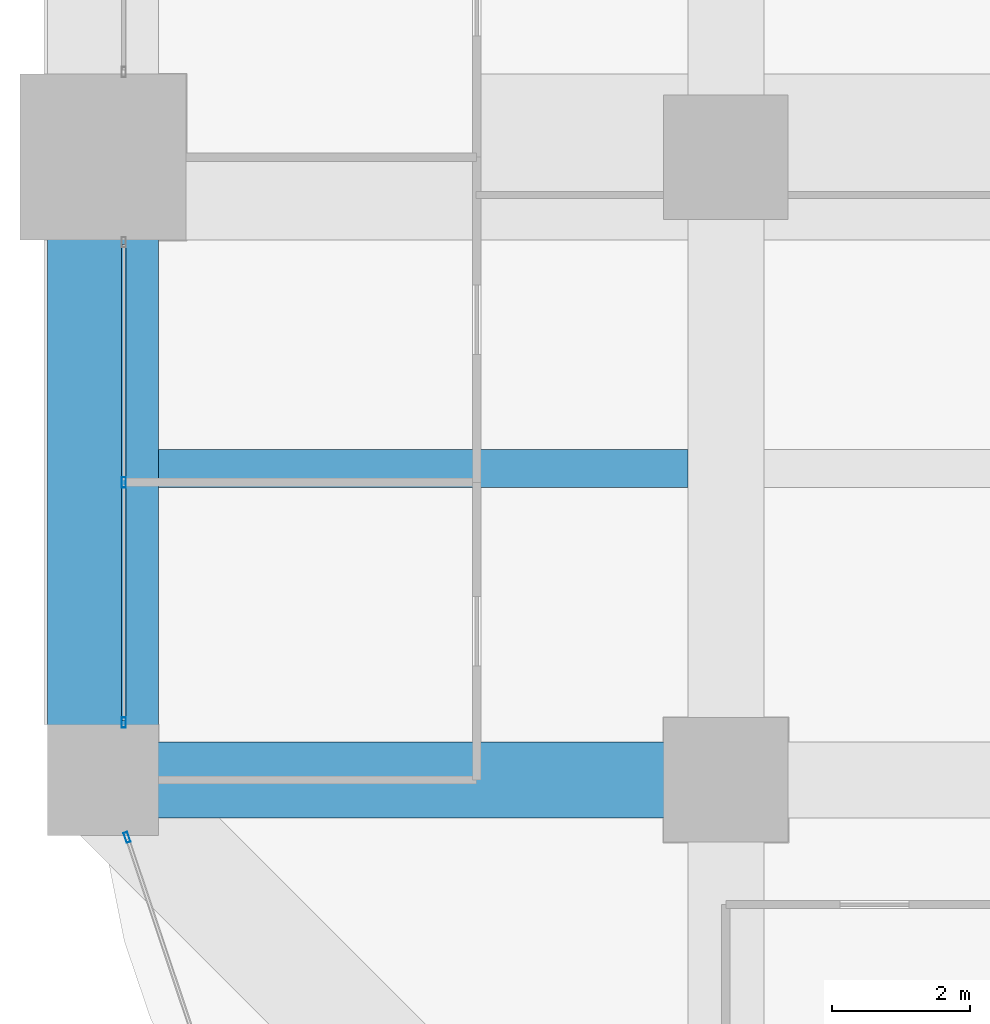
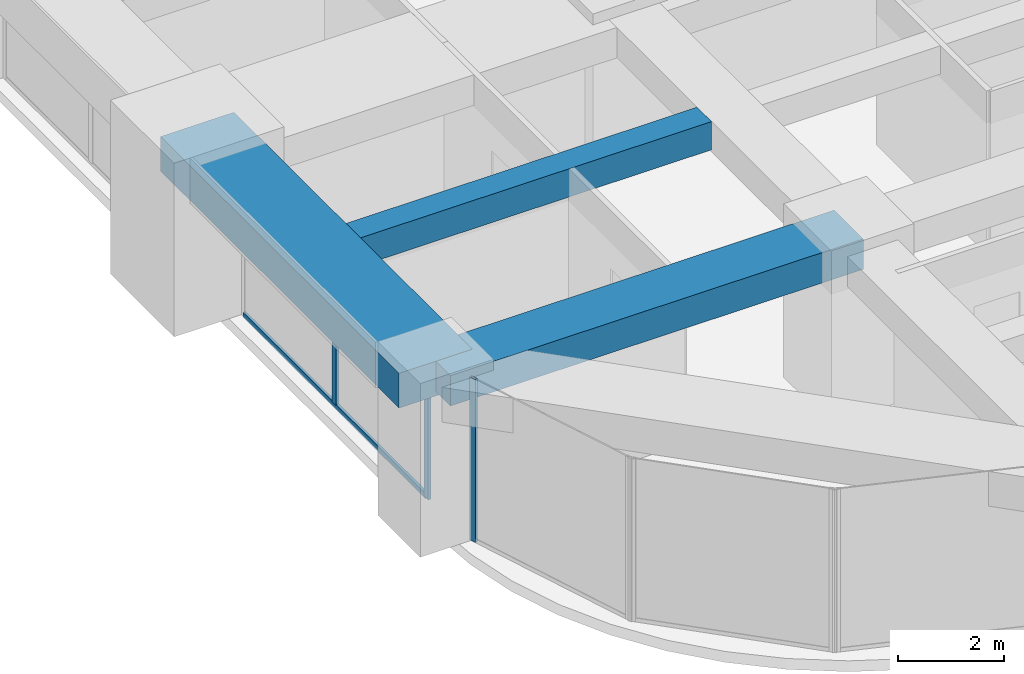
# One storey, part 4 of 43: 4 members, 3 beams, 2 elements without a shape of their own.
"""IFC4 building model written with IfcOpenShell, lengths in metres."""

from ifc_helpers import new_model, si_unit, direction, frame, origin, origin_2d, place, context, subcontext, project, spatial, rectangle, hollow_rectangle, extrude, material, material_profile, profile_set, type_object, element, aggregate, save


model = new_model("IFC4")

# Units and contexts
model_context = context("Model", 3, precision=1e-05, world=origin(), true_north=direction((0.0, 1.0)))
body_context = subcontext(model_context, "Body", "Model", "MODEL_VIEW")
ifc_project = project(units=[si_unit("LENGTHUNIT", "METRE"), si_unit("AREAUNIT", "SQUARE_METRE"), si_unit("VOLUMEUNIT", "CUBIC_METRE"), si_unit("PLANEANGLEUNIT", "RADIAN"), si_unit("MASSUNIT", "GRAM", prefix="KILO")], contexts=[model_context])

# Site, building, storey
site_placement = place(None, origin())
site = spatial("IfcSite", under=ifc_project, at=site_placement, CompositionType="ELEMENT")
building_placement = place(site_placement, origin())
building = spatial("IfcBuilding", under=site, at=building_placement, Name="Zorevar Civic Tower", CompositionType="ELEMENT")
storey_placement = place(building_placement, frame((0.0, 0.0, 145.0)))
storey = spatial("IfcBuildingStorey", under=building, at=storey_placement, Name="L35", CompositionType="ELEMENT", Elevation=145.0)

# Beams
ifc_material_1 = material(Name="Concrete C50/60", Category="concrete")
ifc_material_profile_1 = material_profile(ifc_material_1, rectangle(XDim=1.10009765625, YDim=0.699951171875, at=origin_2d()), Name="RC 1100x700")
ifc_profile_set_1 = profile_set([ifc_material_profile_1], Name="Concrete C50/60")
beam_type_1 = type_object("IfcBeamType", Name="Beam RC 1100x700", PredefinedType="BEAM", material=ifc_profile_set_1)
beam_1_placement = place(storey_placement, frame((0.0, 9.0, 3.39990234375), z_axis=(1.0, 0.0, 0.0), x_axis=(0.0, 1.0, 0.0)))
element("IfcBeam", 1, at=beam_1_placement, inside=storey, type_object=beam_type_1, Name="Girder L36", PredefinedType="BEAM", context=body_context, shape_type="SweptSolid", body=[
    extrude(rectangle(XDim=1.10009765625, YDim=0.699951171875, at=origin_2d()), origin(), (0.0, 0.0, 1.0), 9.0),
])
ifc_material_2 = material(Name="Concrete C50/60", Category="concrete")
ifc_material_profile_2 = material_profile(ifc_material_2, rectangle(XDim=0.550048828125, YDim=0.64990234375, at=origin_2d()), Name="RC 550x650")
ifc_profile_set_2 = profile_set([ifc_material_profile_2], Name="Concrete C50/60")
beam_type_2 = type_object("IfcBeamType", Name="Beam RC 550x650", PredefinedType="BEAM", material=ifc_profile_set_2)
beam_2_placement = place(storey_placement, frame((0.800048828125, 13.5, 3.425048828125), z_axis=(1.0, 0.0, 0.0), x_axis=(0.0, 1.0, 0.0)))
element("IfcBeam", 2, at=beam_2_placement, inside=storey, type_object=beam_type_2, Name="Secondary beam L36", PredefinedType="BEAM", context=body_context, shape_type="SweptSolid", body=[
    extrude(rectangle(XDim=0.550048828125, YDim=0.64990234375, at=origin_2d()), origin(), (0.0, 0.0, 1.0), 7.64990234375),
])

# Curtain wall, members
ifc_material_3 = material(Name="Dark grey solar-control glass in black aluminium frame", Category="aluminium")
curtain_wall_type = type_object("IfcCurtainWallType", Name="Curtain wall CW3 mid zone", PredefinedType="NOTDEFINED", material=ifc_material_3)
curtain_wall_1_placement = place(storey_placement, origin())
curtain_wall_1 = element("IfcCurtainWall", 3, at=curtain_wall_1_placement, inside=storey, type_object=curtain_wall_type, Name="CW3 L35", PredefinedType="NOTDEFINED")
ifc_material_4 = material(Name="Aluminium, black anodised", Category="aluminium")
ifc_material_profile_3 = material_profile(ifc_material_4, hollow_rectangle(XDim=0.06005859375, YDim=0.14990234375, WallThickness=0.00390625, at=origin_2d()), Name="AL 150x60x4")
ifc_profile_set_3 = profile_set([ifc_material_profile_3], Name="Aluminium, black anodised")
member_type_1 = type_object("IfcMemberType", Name="CW3 mullion AL 150x60x4", PredefinedType="MULLION", material=ifc_profile_set_3)
member_1_placement = place(storey_placement, frame((0.300048828125, 9.830078125, 0.0), z_axis=(0.0, 0.0, 1.0), x_axis=(-1.0, 0.0, 0.0)))
member_1 = element("IfcMember", 4, at=member_1_placement, type_object=member_type_1, Name="CW3 mullion 1", PredefinedType="MULLION", context=body_context, shape_type="SweptSolid", body=[
    extrude(hollow_rectangle(XDim=0.06005859375, YDim=0.14990234375, WallThickness=0.00390625, at=origin_2d()), origin(), (0.0, 0.0, 1.0), 2.949951171875),
])
member_2_placement = place(storey_placement, frame((0.300048828125, 13.300048828125, 0.06005859375), z_axis=(0.0, 0.0, 1.0), x_axis=(-1.0, 0.0, 0.0)))
member_2 = element("IfcMember", 5, at=member_2_placement, type_object=member_type_1, Name="CW3 mullion 2", PredefinedType="MULLION", context=body_context, shape_type="SweptSolid", body=[
    extrude(hollow_rectangle(XDim=0.06005859375, YDim=0.14990234375, WallThickness=0.00390625, at=origin_2d()), origin(), (0.0, 0.0, 1.0), 2.889892578125),
])

# Curtain wall, member
curtain_wall_2_placement = place(storey_placement, origin())
curtain_wall_2 = element("IfcCurtainWall", 6, at=curtain_wall_2_placement, inside=storey, type_object=curtain_wall_type, Name="CW3 L35", PredefinedType="NOTDEFINED")
member_3_placement = place(storey_placement, frame((0.346435546875, 8.171630859375, 0.0), z_axis=(0.0, 0.0, 1.0), x_axis=(0.948227238701, 0.317592669603, 0.0)))
member_3 = element("IfcMember", 7, at=member_3_placement, type_object=member_type_1, Name="CW3 mullion 1", PredefinedType="MULLION", context=body_context, shape_type="SweptSolid", body=[
    extrude(hollow_rectangle(XDim=0.06005859375, YDim=0.14990234375, WallThickness=0.00390625, at=origin_2d()), origin(), (0.0, 0.0, 1.0), 3.75),
])
aggregate(curtain_wall_2, [member_3])

# Member
ifc_material_5 = material(Name="Aluminium, black anodised", Category="aluminium")
ifc_material_profile_4 = material_profile(ifc_material_5, hollow_rectangle(XDim=0.06005859375, YDim=0.1201171875, WallThickness=0.0029296875, at=origin_2d()), Name="AL 120x60x3")
ifc_profile_set_4 = profile_set([ifc_material_profile_4], Name="Aluminium, black anodised")
member_type_2 = type_object("IfcMemberType", Name="CW3 transom AL 120x60x3", PredefinedType="USERDEFINED", material=ifc_profile_set_4)
member_4_placement = place(storey_placement, frame((0.300048828125, 9.860107421875, 0.030029296875), z_axis=(0.0, 1.0, 0.0), x_axis=(-1.0, 0.0, 0.0)))
member_4 = element("IfcMember", 8, at=member_4_placement, type_object=member_type_2, Name="CW3 sill transom", ObjectType="TRANSOM", PredefinedType="USERDEFINED", context=body_context, shape_type="SweptSolid", body=[
    extrude(hollow_rectangle(XDim=0.06005859375, YDim=0.1201171875, WallThickness=0.0029296875, at=origin_2d()), origin(), (0.0, 0.0, 1.0), 6.8798828125),
])

aggregate(curtain_wall_1, [member_1, member_2, member_4])

# Beam
ifc_material_6 = material(Name="Concrete C50/60", Category="concrete")
ifc_material_profile_5 = material_profile(ifc_material_6, rectangle(XDim=1.60009765625, YDim=0.800048828125, at=origin_2d()), Name="RC 1600x800")
ifc_profile_set_5 = profile_set([ifc_material_profile_5], Name="Concrete C50/60")
beam_type_3 = type_object("IfcBeamType", Name="Edge beam RC 1600x800", PredefinedType="SPANDREL", material=ifc_profile_set_5)
beam_3_placement = place(storey_placement, frame((0.0, 9.0, 3.35009765625), z_axis=(0.0, 1.0, 0.0), x_axis=(-1.0, 0.0, 0.0)))
element("IfcBeam", 9, at=beam_3_placement, inside=storey, type_object=beam_type_3, Name="Edge beam L36", PredefinedType="SPANDREL", context=body_context, shape_type="SweptSolid", body=[
    extrude(rectangle(XDim=1.60009765625, YDim=0.800048828125, at=origin_2d()), origin(), (0.0, 0.0, 1.0), 9.0),
])

save(model, "model.ifc")
